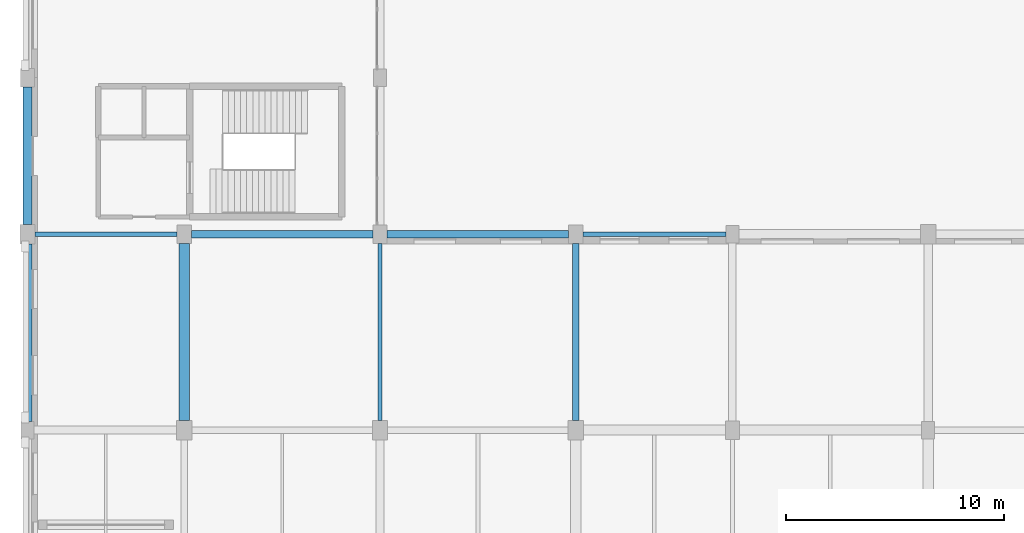
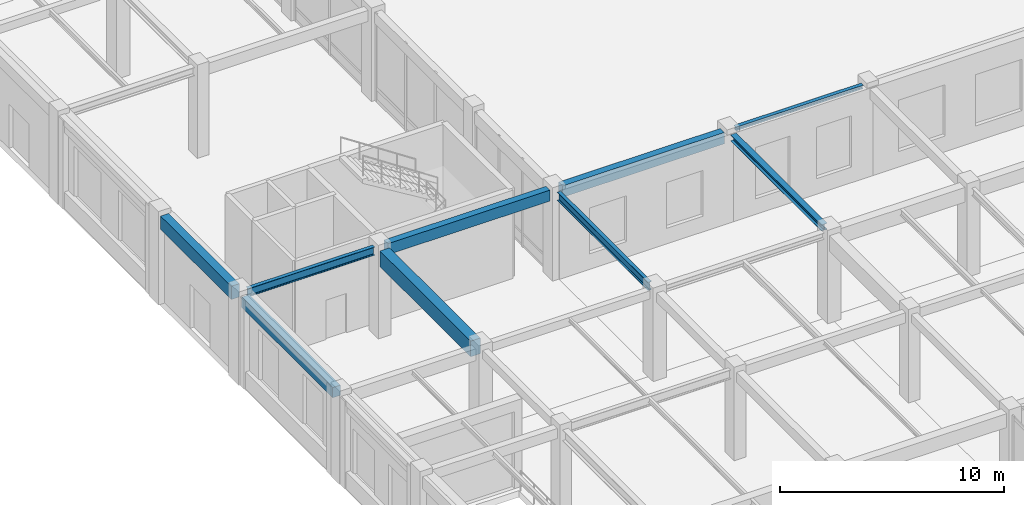
# One storey, part 22 of 64: 9 beams.
"""IFC4 building model written with IfcOpenShell, lengths in metres."""

from ifc_helpers import new_model, si_unit, direction, frame, origin, origin_2d, place, context, subcontext, project, spatial, rectangle, i_section, extrude, material, material_profile, profile_set, type_object, element, save


model = new_model("IFC4")

# Units and contexts
model_context = context("Model", 3, precision=1e-05, world=origin(), true_north=direction((0.0, 1.0)))
body_context = subcontext(model_context, "Body", "Model", "MODEL_VIEW")
ifc_project = project(units=[si_unit("LENGTHUNIT", "METRE"), si_unit("AREAUNIT", "SQUARE_METRE"), si_unit("VOLUMEUNIT", "CUBIC_METRE"), si_unit("PLANEANGLEUNIT", "RADIAN"), si_unit("MASSUNIT", "GRAM", prefix="KILO")], contexts=[model_context])

# Site, building, storey
site_placement = place(None, origin())
site = spatial("IfcSite", under=ifc_project, at=site_placement, CompositionType="ELEMENT")
building_placement = place(site_placement, origin())
building = spatial("IfcBuilding", under=site, at=building_placement, Name="Clarverna Civic Hall", CompositionType="ELEMENT")
storey_placement = place(building_placement, origin())
storey = spatial("IfcBuildingStorey", under=building, at=storey_placement, Name="L00", CompositionType="ELEMENT", Elevation=0.0)

# Beams
ifc_material_1 = material(Name="Steel S355", Category="steel")
ifc_material_profile_1 = material_profile(ifc_material_1, i_section(OverallWidth=0.199951171875, OverallDepth=0.18994140625, WebThickness=0.006591796875, FlangeThickness=0.010009765625, FilletRadius=0.01806640625, at=origin_2d()), Name="HEA 200")
ifc_profile_set_1 = profile_set([ifc_material_profile_1], Name="Steel S355")
beam_type_1 = type_object("IfcBeamType", Name="B-LN2", PredefinedType="LINTEL", material=ifc_profile_set_1)
beam_1_placement = place(storey_placement, frame((25.52490234375, 71.60009765625, 4.72509765625), z_axis=(1.0, 0.0, 0.0), x_axis=(0.0, 1.0, 0.0)))
element("IfcBeam", 1, at=beam_1_placement, inside=storey, type_object=beam_type_1, Name="B-LN2-005", PredefinedType="LINTEL", context=body_context, shape_type="SweptSolid", body=[
    extrude(i_section(OverallWidth=0.199951171875, OverallDepth=0.18994140625, WebThickness=0.006591796875, FlangeThickness=0.010009765625, FilletRadius=0.01806640625, at=origin_2d()), origin(), (0.0, 0.0, 1.0), 6.5751953125),
])
ifc_material_2 = material(Name="Concrete C35/45", Category="concrete")
ifc_material_profile_2 = material_profile(ifc_material_2, rectangle(XDim=0.5, YDim=0.85009765625, at=origin_2d()), Name="RC 500x850")
ifc_profile_set_2 = profile_set([ifc_material_profile_2], Name="Concrete C35/45")
beam_type_2 = type_object("IfcBeamType", Name="B-RC1", PredefinedType="BEAM", material=ifc_profile_set_2)
beam_2_placement = place(storey_placement, frame((7.199951171875, 63.050048828125, 4.35498046875), z_axis=(0.0, 1.0, 0.0), x_axis=(-1.0, 0.0, 0.0)))
element("IfcBeam", 2, at=beam_2_placement, inside=storey, type_object=beam_type_2, Name="B-RC1-013", PredefinedType="BEAM", context=body_context, shape_type="SweptSolid", body=[
    extrude(rectangle(XDim=0.5, YDim=0.85009765625, at=origin_2d()), origin(), (0.0, 0.0, 1.0), 8.125),
])
ifc_material_profile_3 = material_profile(ifc_material_2, rectangle(XDim=0.35009765625, YDim=0.60009765625, at=origin_2d()), Name="RC 350x600")
ifc_profile_set_3 = profile_set([ifc_material_profile_3], Name="Concrete C35/45")
beam_type_3 = type_object("IfcBeamType", Name="B-RC8", PredefinedType="BEAM", material=ifc_profile_set_3)
beam_3_placement = place(storey_placement, frame((7.52490234375, 71.60009765625, 4.52001953125), z_axis=(1.0, 0.0, 0.0), x_axis=(0.0, 1.0, 0.0)))
element("IfcBeam", 3, at=beam_3_placement, inside=storey, type_object=beam_type_3, Name="B-RC8-017", PredefinedType="BEAM", context=body_context, shape_type="SweptSolid", body=[
    extrude(rectangle(XDim=0.35009765625, YDim=0.60009765625, at=origin_2d()), origin(), (0.0, 0.0, 1.0), 8.35009765625),
])
ifc_material_profile_4 = material_profile(ifc_material_2, rectangle(XDim=0.419921875, YDim=0.719970703125, at=origin_2d()), Name="RC 420x720")
ifc_profile_set_4 = profile_set([ifc_material_profile_4], Name="Concrete C35/45")
beam_type_4 = type_object("IfcBeamType", Name="B-SP1", PredefinedType="SPANDREL", material=ifc_profile_set_4)
beam_4_placement = place(storey_placement, frame((0.0, 72.050048828125, 4.4599609375), z_axis=(0.0, 1.0, 0.0), x_axis=(-1.0, 0.0, 0.0)))
element("IfcBeam", 4, at=beam_4_placement, inside=storey, type_object=beam_type_4, Name="B-SP1-045", PredefinedType="SPANDREL", context=body_context, shape_type="SweptSolid", body=[
    extrude(rectangle(XDim=0.419921875, YDim=0.719970703125, at=origin_2d()), origin(), (0.0, 0.0, 1.0), 6.324951171875),
])
ifc_material_profile_5 = material_profile(ifc_material_2, rectangle(XDim=0.360107421875, YDim=0.6201171875, at=origin_2d()), Name="RC 360x620")
ifc_profile_set_5 = profile_set([ifc_material_profile_5], Name="Concrete C35/45")
beam_type_5 = type_object("IfcBeamType", Name="B-SP3", PredefinedType="SPANDREL", material=ifc_profile_set_5)
beam_5_placement = place(storey_placement, frame((16.52490234375, 71.60009765625, 4.510009765625), z_axis=(1.0, 0.0, 0.0), x_axis=(0.0, 1.0, 0.0)))
element("IfcBeam", 5, at=beam_5_placement, inside=storey, type_object=beam_type_5, Name="B-SP3-035", PredefinedType="SPANDREL", context=body_context, shape_type="SweptSolid", body=[
    extrude(rectangle(XDim=0.360107421875, YDim=0.6201171875, at=origin_2d()), origin(), (0.0, 0.0, 1.0), 8.35009765625),
])
ifc_material_profile_6 = material_profile(ifc_material_2, rectangle(XDim=0.39990234375, YDim=0.56005859375, at=origin_2d()), Name="RC 400x560")
ifc_profile_set_6 = profile_set([ifc_material_profile_6], Name="Concrete C35/45")
beam_type_6 = type_object("IfcBeamType", Name="B-SP4", PredefinedType="SPANDREL", material=ifc_profile_set_6)
beam_6_placement = place(storey_placement, frame((0.0, 63.0, 4.5), z_axis=(0.0, 1.0, 0.0), x_axis=(-1.0, 0.0, 0.0)))
element("IfcBeam", 6, at=beam_6_placement, inside=storey, type_object=beam_type_6, Name="B-SP4-042", PredefinedType="SPANDREL", context=body_context, shape_type="SweptSolid", body=[
    extrude(rectangle(XDim=0.39990234375, YDim=0.56005859375, at=origin_2d()), origin(), (0.0, 0.0, 1.0), 8.14990234375),
])
ifc_material_profile_7 = material_profile(ifc_material_1, i_section(OverallWidth=0.18994140625, OverallDepth=0.449951171875, WebThickness=0.009521484375, FlangeThickness=0.0146484375, FilletRadius=0.02099609375, at=origin_2d()), Name="IPE 450")
ifc_profile_set_7 = profile_set([ifc_material_profile_7], Name="Steel S355")
beam_type_7 = type_object("IfcBeamType", Name="B-ST13", PredefinedType="BEAM", material=ifc_profile_set_7)
beam_7_placement = place(storey_placement, frame((0.35009765625, 71.60009765625, 4.594970703125), z_axis=(1.0, 0.0, 0.0), x_axis=(0.0, 1.0, 0.0)))
element("IfcBeam", 7, at=beam_7_placement, inside=storey, type_object=beam_type_7, Name="B-ST13-002", PredefinedType="BEAM", context=body_context, shape_type="SweptSolid", body=[
    extrude(i_section(OverallWidth=0.18994140625, OverallDepth=0.449951171875, WebThickness=0.009521484375, FlangeThickness=0.0146484375, FilletRadius=0.02099609375, at=origin_2d()), origin(), (0.0, 0.0, 1.0), 6.52490234375),
])
beam_8_placement = place(storey_placement, frame((16.199951171875, 63.050048828125, 4.554931640625), z_axis=(0.0, 1.0, 0.0), x_axis=(-1.0, 0.0, 0.0)))
element("IfcBeam", 8, at=beam_8_placement, inside=storey, type_object=beam_type_7, Name="B-ST13-004", PredefinedType="BEAM", context=body_context, shape_type="SweptSolid", body=[
    extrude(i_section(OverallWidth=0.18994140625, OverallDepth=0.449951171875, WebThickness=0.009521484375, FlangeThickness=0.0146484375, FilletRadius=0.02099609375, at=origin_2d()), origin(), (0.0, 0.0, 1.0), 8.125),
])
ifc_material_profile_8 = material_profile(ifc_material_1, i_section(OverallWidth=0.300048828125, OverallDepth=0.330078125, WebThickness=0.009521484375, FlangeThickness=0.0166015625, FilletRadius=0.027099609375, at=origin_2d()), Name="HEA 340")
ifc_profile_set_8 = profile_set([ifc_material_profile_8], Name="Steel S355")
beam_type_8 = type_object("IfcBeamType", Name="B-ST8", PredefinedType="BEAM", material=ifc_profile_set_8)
beam_9_placement = place(storey_placement, frame((25.199951171875, 63.050048828125, 4.614990234375), z_axis=(0.0, 1.0, 0.0), x_axis=(-1.0, 0.0, 0.0)))
element("IfcBeam", 9, at=beam_9_placement, inside=storey, type_object=beam_type_8, Name="B-ST8-027", PredefinedType="BEAM", context=body_context, shape_type="SweptSolid", body=[
    extrude(i_section(OverallWidth=0.300048828125, OverallDepth=0.330078125, WebThickness=0.009521484375, FlangeThickness=0.0166015625, FilletRadius=0.027099609375, at=origin_2d()), origin(), (0.0, 0.0, 1.0), 8.125),
])

save(model, "model.ifc")
